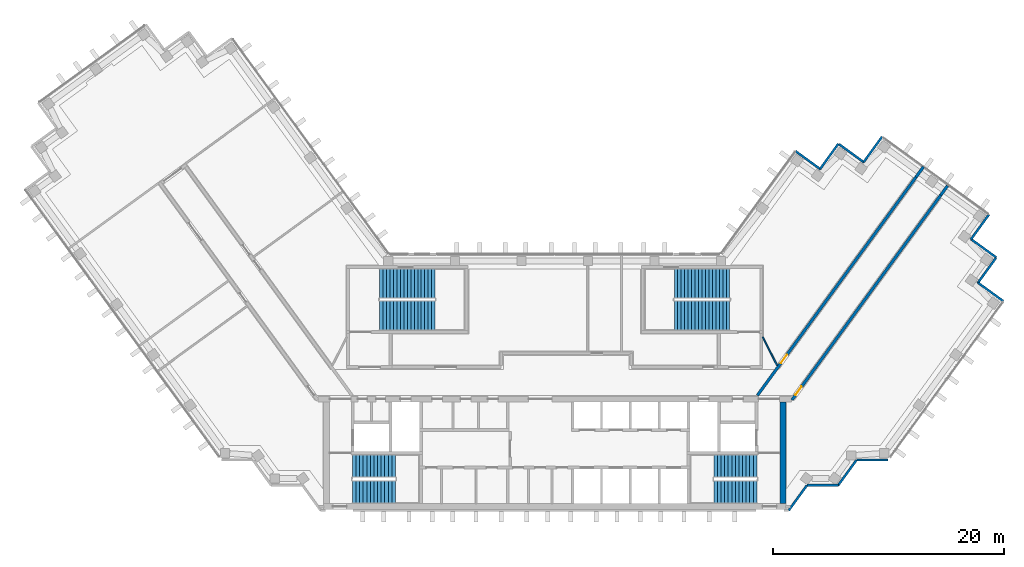
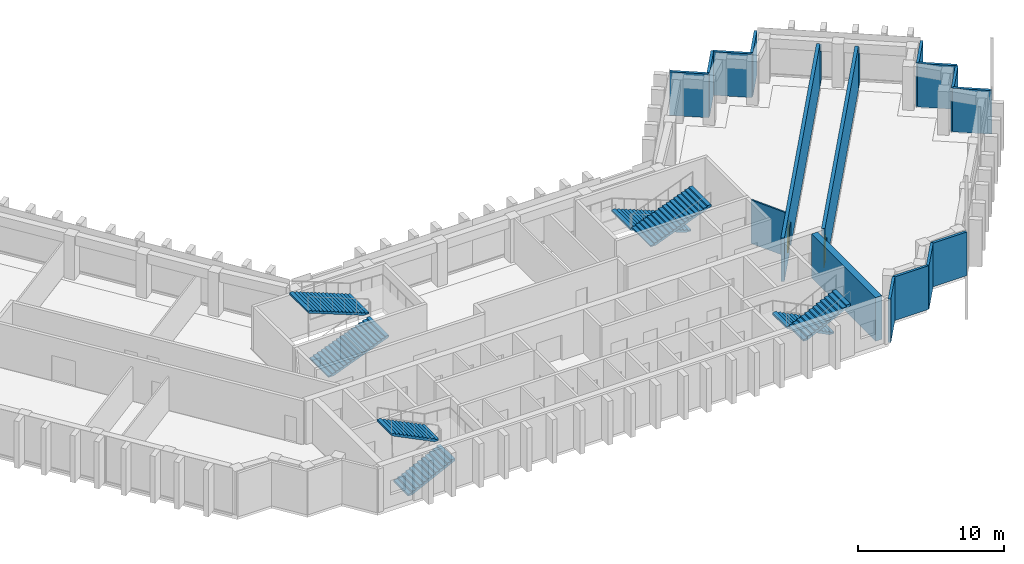
# One storey, part 7 of 9: 18 walls, 8 stair flights, 2 doors, 2 openings, 4 elements without a shape of their own.
"""IFC4 building model written with IfcOpenShell, lengths in metres."""

import ifcopenshell
import ifcopenshell.guid

model = None  # the IFC model being written
_history = None  # IfcOwnerHistory: only IFC2X3 demands one
_inside = {}  # id of a spatial element -> (the spatial element, [elements in it])
_under = {}  # id of a project, library or spatial element -> (it, [spatial elements below it])
_declared = {}  # id of a project -> (the project, [libraries it declares])
_typed = {}  # id of a type object -> (the type object, [elements of that type])
_made_of = {}  # id of a material, layer set ... -> (it, [elements and type objects made of it])


def new_model(schema):
    """Start an empty IFC model of exactly this schema.

    Asked for "IFC4X3", IfcOpenShell would pick the latest addendum, in which some entities
    have other attributes; the version numbers below select the first issue.
    IFC2X3 requires an IfcOwnerHistory on every rooted entity: one is made here for all.
    """
    global model, _history
    if schema == "IFC4X3":
        model = ifcopenshell.file(schema_version=(4, 3, 0, 0))
    else:
        model = ifcopenshell.file(schema=schema)
    _inside.clear()
    _under.clear()
    _declared.clear()
    _typed.clear()
    _made_of.clear()
    _history = None
    if model.schema == "IFC2X3":
        org = make("IfcOrganization", Name="unknown")
        user = make(
            "IfcPersonAndOrganization",
            ThePerson=make("IfcPerson", FamilyName="unknown"),
            TheOrganization=org,
        )
        app = make(
            "IfcApplication",
            ApplicationDeveloper=org,
            Version="unknown",
            ApplicationFullName="unknown",
            ApplicationIdentifier="unknown",
        )
        _history = make(
            "IfcOwnerHistory",
            OwningUser=user,
            OwningApplication=app,
            ChangeAction="ADDED",
            CreationDate=0,
        )
    return model


def make(cls, **values):
    """One entity of the class cls with the attributes given. An attribute that is None is left unset."""
    return model.create_entity(
        cls, **{name: value for name, value in values.items() if value is not None}
    )


def rooted(cls, **values):
    """An entity with a GlobalId (a new one), such as an element, a storey or a relation."""
    return make(cls, GlobalId=ifcopenshell.guid.new(), OwnerHistory=_history, **values)


def si_unit(unit_type, name, prefix=None):
    """IfcSIUnit, for example si_unit("LENGTHUNIT", "METRE", prefix="MILLI")."""
    return make("IfcSIUnit", UnitType=unit_type, Prefix=prefix, Name=name)


def assignment(units):
    """IfcUnitAssignment: the units of a project."""
    return None if units is None else make("IfcUnitAssignment", Units=units)


def point(xyz):
    """IfcCartesianPoint."""
    return None if xyz is None else make("IfcCartesianPoint", Coordinates=xyz)


def direction(xyz):
    """IfcDirection."""
    return None if xyz is None else make("IfcDirection", DirectionRatios=xyz)


def frame(location, z_axis=None, x_axis=None):
    """IfcAxis2Placement3D, a coordinate frame: its origin and axes. An axis left out is left unset."""
    return make(
        "IfcAxis2Placement3D",
        Location=point(location),
        Axis=direction(z_axis),
        RefDirection=direction(x_axis),
    )


def frame_2d(location, x_axis=None):
    """IfcAxis2Placement2D, a coordinate frame in the plane: its origin and x axis."""
    return make(
        "IfcAxis2Placement2D", Location=point(location), RefDirection=direction(x_axis)
    )


def origin():
    """The frame at (0, 0, 0) with its axes left unset."""
    return frame((0.0, 0.0, 0.0))


def place(relative_to, where):
    """IfcLocalPlacement: puts the frame where relative to a parent placement (None: the world)."""
    return make(
        "IfcLocalPlacement", PlacementRelTo=relative_to, RelativePlacement=where
    )


def context(
    kind, dimensions, precision=None, world=None, true_north=None, identifier=None
):
    """IfcGeometricRepresentationContext, for example the 3D "Model" context."""
    return make(
        "IfcGeometricRepresentationContext",
        ContextIdentifier=identifier,
        ContextType=kind,
        CoordinateSpaceDimension=dimensions,
        Precision=precision,
        WorldCoordinateSystem=world,
        TrueNorth=true_north,
    )


def subcontext(parent, identifier, kind, view, scale=None):
    """IfcGeometricRepresentationSubContext, for example "Body" below "Model"."""
    return make(
        "IfcGeometricRepresentationSubContext",
        ContextIdentifier=identifier,
        ContextType=kind,
        ParentContext=parent,
        TargetScale=scale,
        TargetView=view,
    )


def project(units=None, contexts=None):
    """IfcProject with its units and contexts."""
    return rooted(
        "IfcProject",
        Name="project",
        RepresentationContexts=contexts,
        UnitsInContext=assignment(units),
    )


def spatial(cls, under=None, at=None, **own):
    """A site, building, storey or space (cls), placed at a placement, below another one or the project."""
    s = rooted(cls, ObjectPlacement=at, **own)
    if under is not None:
        _under.setdefault(under.id(), (under, []))[1].append(s)
    return s


def polyline(points):
    """IfcPolyline through the points."""
    return make("IfcPolyline", Points=[point(p) for p in points])


def profile(cls, at=None, kind="AREA", **sizes):
    """A parametric profile (cls). Its sizes go by their IFC names, for example OverallWidth=200.0."""
    return make(cls, ProfileType=kind, Position=at, **sizes)


def rectangle(**sizes):
    """IfcRectangleProfileDef."""
    return profile("IfcRectangleProfileDef", **sizes)


def outline(outer, holes=None, kind="AREA"):
    """IfcArbitraryClosedProfileDef: a profile drawn as a closed curve; with holes, ...WithVoids."""
    if holes is None:
        return make("IfcArbitraryClosedProfileDef", ProfileType=kind, OuterCurve=outer)
    return make(
        "IfcArbitraryProfileDefWithVoids",
        ProfileType=kind,
        OuterCurve=outer,
        InnerCurves=holes,
    )


def extrude(swept, where, along, depth):
    """IfcExtrudedAreaSolid: the profile swept, set in the frame where, extruded along a direction by depth."""
    return make(
        "IfcExtrudedAreaSolid",
        SweptArea=swept,
        Position=where,
        ExtrudedDirection=direction(along),
        Depth=depth,
    )


def shape(context_of_items, identifier, shape_type, items):
    """IfcShapeRepresentation: the items that make up one representation, for example the "Body"."""
    return make(
        "IfcShapeRepresentation",
        ContextOfItems=context_of_items,
        RepresentationIdentifier=identifier,
        RepresentationType=shape_type,
        Items=items,
    )


def material(Name=None, Category=None):
    """IfcMaterial."""
    return make("IfcMaterial", Name=Name, Category=Category)


def layer(
    of_material, thickness, ventilated=None, Name=None, Category=None, Priority=None
):
    """IfcMaterialLayer: one layer of a wall or slab, of a material (None: an air gap)."""
    return make(
        "IfcMaterialLayer",
        Material=of_material,
        LayerThickness=thickness,
        IsVentilated=ventilated,
        Name=Name,
        Category=Category,
        Priority=Priority,
    )


def layer_set(layers, Name=None):
    """IfcMaterialLayerSet."""
    return make("IfcMaterialLayerSet", MaterialLayers=layers, LayerSetName=Name)


def made_of(thing, what):
    """Note that an element or type object is made of a material, layer set ...; save() writes the relation."""
    if what is not None:
        _made_of.setdefault(what.id(), (what, []))[1].append(thing)
    return thing


def type_object(cls, material=None, **own):
    """A type object (cls), such as IfcWallType, which elements share."""
    return made_of(rooted(cls, **own), material)


def element(
    cls,
    number,
    at=None,
    inside=None,
    cuts=None,
    type_object=None,
    material=None,
    context=None,
    identifier="Body",
    shape_type=None,
    held_by="IfcProductDefinitionShape",
    body=None,
    shapes=None,
    **own,
):
    """One element of the class cls, such as IfcWall. Its Tag is "e" and its number.

    at: its placement. inside: the storey or other place that contains it. cuts: it is an
    opening in that element (IfcRelVoidsElement). A single representation is given by context,
    identifier, shape_type and body (its items); several are given by shapes. held_by: the class
    of the entity that holds the representations. save() writes the other relations.
    """
    e = rooted(cls, Tag="e%d" % number, ObjectPlacement=at, **own)
    if body is not None:
        shapes = [shape(context, identifier, shape_type, body)]
    if shapes is not None:
        e.Representation = make(held_by, Representations=shapes)
    if inside is not None:
        _inside.setdefault(inside.id(), (inside, []))[1].append(e)
    if cuts is not None:
        rooted(
            "IfcRelVoidsElement", RelatingBuildingElement=cuts, RelatedOpeningElement=e
        )
    if type_object is not None:
        _typed.setdefault(type_object.id(), (type_object, []))[1].append(e)
    return made_of(e, material)


def fill(opening, filler):
    """IfcRelFillsElement: the door or window that sits in an opening."""
    return rooted(
        "IfcRelFillsElement",
        RelatingOpeningElement=opening,
        RelatedBuildingElement=filler,
    )


def aggregate(whole, parts):
    """IfcRelAggregates: a whole, such as a stair, and the parts it consists of."""
    return rooted("IfcRelAggregates", RelatingObject=whole, RelatedObjects=parts)


def save(model, path):
    """Write the relations noted so far, then the file.

    IfcRelAggregates (storeys below a building ...), IfcRelContainedInSpatialStructure (elements
    in a storey), IfcRelDefinesByType, IfcRelAssociatesMaterial and IfcRelDeclares: one each for
    every whole, place, type object, material and project.
    """
    for whole, parts in _under.values():
        aggregate(whole, parts)
    for where, things in _inside.values():
        rooted(
            "IfcRelContainedInSpatialStructure",
            RelatedElements=things,
            RelatingStructure=where,
        )
    for kind, things in _typed.values():
        rooted("IfcRelDefinesByType", RelatedObjects=things, RelatingType=kind)
    for what, things in _made_of.values():
        rooted("IfcRelAssociatesMaterial", RelatedObjects=things, RelatingMaterial=what)
    for by, libraries in _declared.values():
        rooted("IfcRelDeclares", RelatingContext=by, RelatedDefinitions=libraries)
    model.write(path)


model = new_model("IFC4")

# Units and contexts
model_context = context("Model", 3, precision=1e-05, world=origin(), true_north=direction((0.0, 1.0)))
body_context = subcontext(model_context, "Body", "Model", "MODEL_VIEW")
ifc_project = project(units=[si_unit("LENGTHUNIT", "METRE"), si_unit("AREAUNIT", "SQUARE_METRE"), si_unit("VOLUMEUNIT", "CUBIC_METRE"), si_unit("PLANEANGLEUNIT", "RADIAN"), si_unit("MASSUNIT", "GRAM", prefix="KILO")], contexts=[model_context])

# Site, building, storey
site_placement = place(None, origin())
site = spatial("IfcSite", under=ifc_project, at=site_placement, CompositionType="ELEMENT")
building_placement = place(site_placement, origin())
building = spatial("IfcBuilding", under=site, at=building_placement, Name="Quipu Civic Tower", CompositionType="ELEMENT")
storey_placement = place(building_placement, frame((0.0, 0.0, 226.0)))
storey = spatial("IfcBuildingStorey", under=building, at=storey_placement, Name="L53", CompositionType="ELEMENT", Elevation=226.0)

# Wall
ifc_material_1 = material(Name="Concrete C70/85", Category="concrete")
ifc_layer_1 = layer(ifc_material_1, 0.5)
ifc_layer_set_1 = layer_set([ifc_layer_1], Name="Concrete C70/85")
wall_type_1 = type_object("IfcWallType", Name="Core wall 500", PredefinedType="SHEAR", material=ifc_layer_set_1)
wall_1_placement = place(storey_placement, frame((19.75, -10.5, 0.0), z_axis=(0.0, 0.0, 1.0), x_axis=(0.0, 1.0, 0.0)))
element("IfcWall", 1, at=wall_1_placement, inside=storey, type_object=wall_type_1, Name="Core wall", PredefinedType="SHEAR", context=body_context, shape_type="SweptSolid", body=[
    extrude(rectangle(XDim=8.800048828125, YDim=0.5, at=frame_2d((4.39990234375, 0.0))), origin(), (0.0, 0.0, 1.0), 3.64990234375),
])

# Wall, opening, door
ifc_material_2 = material(Name="Concrete C50/60", Category="concrete")
ifc_layer_2 = layer(ifc_material_2, 0.25)
ifc_layer_set_2 = layer_set([ifc_layer_2], Name="Concrete C50/60")
wall_type_2 = type_object("IfcWallType", Name="Corridor wall 250 concrete", PredefinedType="SOLIDWALL", material=ifc_layer_set_2)
wall_2_placement = place(storey_placement, frame((17.544921875, -1.124755859375, 0.0), z_axis=(0.0, 0.0, 1.0), x_axis=(0.587787966774, 0.809015022181, 0.0)))
wall_2 = element("IfcWall", 2, at=wall_2_placement, inside=storey, type_object=wall_type_2, Name="Corridor wall C02", PredefinedType="SOLIDWALL", context=body_context, shape_type="SweptSolid", body=[
    extrude(rectangle(XDim=23.344970703125, YDim=0.25, at=frame_2d((11.67236328125, 0.0))), origin(), (0.0, 0.0, 1.0), 3.64990234375),
])
opening_1_placement = place(wall_2_placement, frame((3.44140625, 0.0, 0.0)))
opening_1 = element("IfcOpeningElement", 3, at=opening_1_placement, cuts=wall_2, Name="Opening D001", PredefinedType="OPENING", context=body_context, shape_type="SweptSolid", body=[
    extrude(rectangle(XDim=0.89990234375, YDim=2.10009765625, at=frame_2d((0.449951171875, 1.050048828125))), frame((0.0, 0.135009765625, 0.0), z_axis=(0.0, -1.0, 0.0), x_axis=(1.0, 0.0, 0.0)), (0.0, 0.0, 1.0), 0.27001953125),
])
ifc_material_3 = material(Name="Fire rated timber door set with metal frame", Category="wood")
door_type = type_object("IfcDoorType", Name="Single door 900 x 2100 FD60", OperationType="NOTDEFINED", PredefinedType="DOOR", material=ifc_material_3)
door_1_placement = place(opening_1_placement, origin())
door_1 = element("IfcDoor", 4, at=door_1_placement, inside=storey, type_object=door_type, Name="Door D001", OperationType="SINGLE_SWING_LEFT", OverallHeight=2.10009765625, OverallWidth=0.89990234375, PredefinedType="DOOR", context=body_context, shape_type="SweptSolid", body=[
    extrude(rectangle(XDim=0.89990234375, YDim=2.10009765625, at=frame_2d((0.449951171875, 1.050048828125))), frame((0.0, 0.02490234375, 0.0), z_axis=(0.0, -1.0, 0.0), x_axis=(1.0, 0.0, 0.0)), (0.0, 0.0, 1.0), 0.050048828125),
])
fill(opening_1, door_1)

wall_3_placement = place(storey_placement, frame((33.41015625, 16.203125, 0.0), z_axis=(0.0, 0.0, 1.0), x_axis=(-0.587786711753, -0.809015934013, 0.0)))
wall_3 = element("IfcWall", 5, at=wall_3_placement, inside=storey, type_object=wall_type_2, Name="Corridor wall C03", PredefinedType="SOLIDWALL", context=body_context, shape_type="SweptSolid", body=[
    extrude(rectangle(XDim=21.911376953125, YDim=0.25, at=frame_2d((10.95556640625, 0.0))), origin(), (0.0, 0.0, 1.0), 3.64990234375),
])
opening_2_placement = place(wall_3_placement, frame((20.478515625, 0.0, 0.0)))
opening_2 = element("IfcOpeningElement", 6, at=opening_2_placement, cuts=wall_3, Name="Opening D002", PredefinedType="OPENING", context=body_context, shape_type="SweptSolid", body=[
    extrude(rectangle(XDim=0.89990234375, YDim=2.10009765625, at=frame_2d((0.449951171875, 1.050048828125))), frame((0.0, 0.135009765625, 0.0), z_axis=(0.0, -1.0, 0.0), x_axis=(1.0, 0.0, 0.0)), (0.0, 0.0, 1.0), 0.27001953125),
])
door_2_placement = place(opening_2_placement, origin())
door_2 = element("IfcDoor", 7, at=door_2_placement, inside=storey, type_object=door_type, Name="Door D002", OperationType="SINGLE_SWING_RIGHT", OverallHeight=2.10009765625, OverallWidth=0.89990234375, PredefinedType="DOOR", context=body_context, shape_type="SweptSolid", body=[
    extrude(rectangle(XDim=0.89990234375, YDim=2.10009765625, at=frame_2d((0.449951171875, 1.050048828125))), frame((0.0, 0.02490234375, 0.0), z_axis=(0.0, -1.0, 0.0), x_axis=(1.0, 0.0, 0.0)), (0.0, 0.0, 1.0), 0.050048828125),
])
fill(opening_2, door_2)

# Walls
wall_4_placement = place(storey_placement, frame((31.266845703125, 17.76171875, 0.0), z_axis=(0.0, 0.0, 1.0), x_axis=(0.587778942742, 0.809021578494, 0.0)))
element("IfcWall", 8, at=wall_4_placement, inside=storey, type_object=wall_type_2, Name="Corridor wall C02", PredefinedType="SOLIDWALL", context=body_context, shape_type="SweptSolid", body=[
    extrude(rectangle(XDim=1.109130859375, YDim=0.25, at=frame_2d((0.5546875, 0.0))), origin(), (0.0, 0.0, 1.0), 2.85009765625),
])
wall_5_placement = place(storey_placement, frame((33.41015625, 16.203125, 0.0), z_axis=(0.0, 0.0, 1.0), x_axis=(0.587696850957, 0.809081214326, 0.0)))
element("IfcWall", 9, at=wall_5_placement, inside=storey, type_object=wall_type_2, Name="Corridor wall C03", PredefinedType="SOLIDWALL", context=body_context, shape_type="SweptSolid", body=[
    extrude(rectangle(XDim=1.009033203125, YDim=0.25, at=frame_2d((0.50439453125, 0.0))), origin(), (0.0, 0.0, 1.0), 2.85009765625),
])
ifc_material_4 = material(Name="Gypsum plasterboard on light gauge framing")
ifc_layer_3 = layer(ifc_material_4, 0.1201171875)
ifc_layer_set_3 = layer_set([ifc_layer_3], Name="Gypsum plasterboard on light gauge framing")
wall_type_3 = type_object("IfcWallType", Name="Partition 120 plasterboard", PredefinedType="PARTITIONING", material=ifc_layer_set_3)
wall_6_placement = place(storey_placement, frame((18.0, 3.925048828125, 0.0), z_axis=(0.0, 0.0, 1.0), x_axis=(0.453950796792, -0.891026752736, 0.0)))
element("IfcWall", 10, at=wall_6_placement, inside=storey, type_object=wall_type_3, Name="Partition P08", PredefinedType="PARTITIONING", context=body_context, shape_type="SweptSolid", body=[
    extrude(rectangle(XDim=2.77783203125, YDim=0.1201171875, at=frame_2d((1.388916015625, 0.0))), origin(), (0.0, 0.0, 1.0), 3.64990234375),
])
ifc_material_5 = material(Name="Precast concrete C40/50", Category="concrete")
wall_type_4 = type_object("IfcWallType", Name="Precast cladding wall", PredefinedType="SOLIDWALL", material=ifc_material_5)
wall_7_placement = place(storey_placement, frame((20.253173828125, -11.083251953125, 0.0), z_axis=(0.0, 0.0, 1.0), x_axis=(0.587766567315, 0.809030569476, 0.0)))
element("IfcWall", 11, at=wall_7_placement, inside=storey, type_object=wall_type_4, Name="Precast cladding wall L53 P20", PredefinedType="SOLIDWALL", context=body_context, shape_type="SweptSolid", body=[
    extrude(rectangle(XDim=2.687744140625, YDim=0.199951171875, at=frame_2d((1.34375, 0.0))), origin(), (0.0, 0.0, 1.0), 3.64990234375),
])
for number, where, z_axis, x_axis, name in (
    (12, (36.0048828125, 12.3515625, 0.0), (0.0, 0.0, 1.0), (0.587762999008, 0.809033161865, 0.0), "Precast cladding wall L53 P21"),
    (13, (28.333984375, 21.26220703125, 0.0), (0.0, 0.0, 1.0), (-0.587762999008, -0.809033161865, 0.0), "Precast cladding wall L53 P23"),
):
    element("IfcWall", number, at=place(storey_placement, frame(where, z_axis=z_axis, x_axis=x_axis)), inside=storey, type_object=wall_type_4, Name=name, PredefinedType="SOLIDWALL", context=body_context, shape_type="SweptSolid", body=[
        extrude(rectangle(XDim=2.699951171875, YDim=0.199951171875, at=frame_2d((1.35009765625, 0.0))), origin(), (0.0, 0.0, 1.0), 3.64990234375),
    ])
wall_8_placement = place(storey_placement, frame((26.78466796875, 19.03564453125, 0.0), z_axis=(0.0, 0.0, 1.0), x_axis=(-0.809064397168, 0.587720002413, 0.0)))
element("IfcWall", 14, at=wall_8_placement, inside=storey, type_object=wall_type_4, Name="Precast cladding wall L53 P24", PredefinedType="SOLIDWALL", context=body_context, shape_type="SweptSolid", body=[
    extrude(rectangle(XDim=2.7001953125, YDim=0.199951171875, at=frame_2d((1.35009765625, 0.0))), origin(), (0.0, 0.0, 1.0), 3.64990234375),
])
for number, where, z_axis, x_axis, name in (
    (15, (24.562744140625, 20.664794921875, 0.0), (0.0, 0.0, 1.0), (-0.587822180636, -0.808990163075, 0.0), "Precast cladding wall L53 P25"),
    (16, (23.01318359375, 18.438232421875, 0.0), (0.0, 0.0, 1.0), (-0.808990163075, 0.587822180636, 0.0), "Precast cladding wall L53 P26"),
    (17, (21.8427734375, -8.90380859375, 0.0), (0.0, 0.0, 1.0), (1.0, 0.0, 0.0), "Precast cladding wall L53 P33"),
):
    element("IfcWall", number, at=place(storey_placement, frame(where, z_axis=z_axis, x_axis=x_axis)), inside=storey, type_object=wall_type_4, Name=name, PredefinedType="SOLIDWALL", context=body_context, shape_type="SweptSolid", body=[
        extrude(rectangle(XDim=2.699951171875, YDim=0.199951171875, at=frame_2d((1.35009765625, 0.0))), origin(), (0.0, 0.0, 1.0), 3.64990234375),
    ])
wall_9_placement = place(storey_placement, frame((24.533203125, -8.90869140625, 0.0), z_axis=(0.0, 0.0, 1.0), x_axis=(0.587720002413, 0.809064397168, 0.0)))
element("IfcWall", 18, at=wall_9_placement, inside=storey, type_object=wall_type_4, Name="Precast cladding wall L53 P34", PredefinedType="SOLIDWALL", context=body_context, shape_type="SweptSolid", body=[
    extrude(rectangle(XDim=2.7001953125, YDim=0.199951171875, at=frame_2d((1.35009765625, 0.0))), origin(), (0.0, 0.0, 1.0), 3.64990234375),
])
for number, where, z_axis, x_axis, name in (
    (19, (26.1298828125, -6.71923828125, 0.0), (0.0, 0.0, 1.0), (1.0, 0.0, 0.0), "Precast cladding wall L53 P35"),
    (20, (38.82861328125, 7.031005859375, 0.0), (0.0, 0.0, 1.0), (-0.808990163075, 0.587822180636, 0.0), "Precast cladding wall L53 1"),
    (21, (36.60205078125, 8.580322265625, 0.0), (0.0, 0.0, 1.0), (0.587822180636, 0.808990163075, 0.0), "Precast cladding wall L53 2"),
    (22, (38.231201171875, 10.80224609375, 0.0), (0.0, 0.0, 1.0), (-0.808958916286, 0.58786518162, 0.0), "Precast cladding wall L53 3"),
):
    element("IfcWall", number, at=place(storey_placement, frame(where, z_axis=z_axis, x_axis=x_axis)), inside=storey, type_object=wall_type_4, Name=name, PredefinedType="SOLIDWALL", context=body_context, shape_type="SweptSolid", body=[
        extrude(rectangle(XDim=2.699951171875, YDim=0.199951171875, at=frame_2d((1.35009765625, 0.0))), origin(), (0.0, 0.0, 1.0), 3.64990234375),
    ])

# Stair, stair flights
ifc_material_6 = material(Name="Concrete C40/50", Category="concrete")
stair_type_1 = type_object("IfcStairType", Name="Half turn stair 2000", PredefinedType="HALF_TURN_STAIR", material=ifc_material_6)
stair_1_placement = place(storey_placement, origin())
stair_1 = element("IfcStair", 23, at=stair_1_placement, inside=storey, type_object=stair_type_1, Name="Exit stair 1", PredefinedType="HALF_TURN_STAIR")
ifc_material_7 = material(Name="Concrete C40/50", Category="concrete")
stair_flight_type_1 = type_object("IfcStairFlightType", Name="Stair flight 2000", PredefinedType="STRAIGHT", material=ifc_material_7)
stair_flight_1_placement = place(storey_placement, frame((-17.5, -9.5, 0.0), z_axis=(0.0, 0.0, 1.0), x_axis=(1.0, 0.0, 0.0)))
stair_flight_1 = element("IfcStairFlight", 24, at=stair_flight_1_placement, type_object=stair_flight_type_1, Name="ST-1 flight 1", NumberOfRisers=13, NumberOfTreads=12, PredefinedType="STRAIGHT", RiserHeight=0.153846154, TreadLength=0.31, context=body_context, shape_type="SweptSolid", body=[
    extrude(outline(polyline([(0.0, 0.0), (0.0, 0.15380859375), (0.31005859375, 0.15380859375), (0.31005859375, 0.3076171875), (0.6201171875, 0.3076171875), (0.6201171875, 0.46142578125), (0.929931640625, 0.46142578125), (0.929931640625, 0.615478515625), (1.239990234375, 0.615478515625), (1.239990234375, 0.769287109375), (1.550048828125, 0.769287109375), (1.550048828125, 0.923095703125), (1.860107421875, 0.923095703125), (1.860107421875, 1.076904296875), (2.169921875, 1.076904296875), (2.169921875, 1.230712890625), (2.47998046875, 1.230712890625), (2.47998046875, 1.384521484375), (2.7900390625, 1.384521484375), (2.7900390625, 1.53857421875), (3.10009765625, 1.53857421875), (3.10009765625, 1.6923828125), (3.409912109375, 1.6923828125), (3.409912109375, 1.84619140625), (3.719970703125, 1.84619140625), (3.719970703125, 2.0), (3.719970703125, 1.6787109375), (0.337158203125, 0.0), (0.0, 0.0)])), frame((0.0, 1.0, 0.0), z_axis=(0.0, -1.0, 0.0), x_axis=(1.0, 0.0, 0.0)), (0.0, 0.0, 1.0), 2.0),
])
stair_flight_2_placement = place(storey_placement, frame((-13.780029296875, -7.25, 2.0), z_axis=(0.0, 0.0, 1.0), x_axis=(-1.0, 0.0, 0.0)))
stair_flight_2 = element("IfcStairFlight", 25, at=stair_flight_2_placement, type_object=stair_flight_type_1, Name="ST-1 flight 2", NumberOfRisers=13, NumberOfTreads=12, PredefinedType="STRAIGHT", RiserHeight=0.153846154, TreadLength=0.31, context=body_context, shape_type="SweptSolid", body=[
    extrude(outline(polyline([(0.0, 0.0), (0.0, 0.15380859375), (0.31005859375, 0.15380859375), (0.31005859375, 0.3076171875), (0.6201171875, 0.3076171875), (0.6201171875, 0.46142578125), (0.929931640625, 0.46142578125), (0.929931640625, 0.615478515625), (1.239990234375, 0.615478515625), (1.239990234375, 0.769287109375), (1.550048828125, 0.769287109375), (1.550048828125, 0.923095703125), (1.860107421875, 0.923095703125), (1.860107421875, 1.076904296875), (2.169921875, 1.076904296875), (2.169921875, 1.230712890625), (2.47998046875, 1.230712890625), (2.47998046875, 1.384521484375), (2.7900390625, 1.384521484375), (2.7900390625, 1.53857421875), (3.10009765625, 1.53857421875), (3.10009765625, 1.6923828125), (3.409912109375, 1.6923828125), (3.409912109375, 1.84619140625), (3.719970703125, 1.84619140625), (3.719970703125, 2.0), (3.719970703125, 1.6787109375), (0.337158203125, 0.0), (0.0, 0.0)])), frame((0.0, 1.0, 0.0), z_axis=(0.0, -1.0, 0.0), x_axis=(1.0, 0.0, 0.0)), (0.0, 0.0, 1.0), 2.0),
])
aggregate(stair_1, [stair_flight_1, stair_flight_2])

stair_2_placement = place(storey_placement, origin())
stair_2 = element("IfcStair", 26, at=stair_2_placement, inside=storey, type_object=stair_type_1, Name="Exit stair 2", PredefinedType="HALF_TURN_STAIR")
stair_flight_3_placement = place(storey_placement, frame((17.5, -7.25, 0.0), z_axis=(0.0, 0.0, 1.0), x_axis=(-1.0, 0.0, 0.0)))
stair_flight_3 = element("IfcStairFlight", 27, at=stair_flight_3_placement, type_object=stair_flight_type_1, Name="ST-2 flight 1", NumberOfRisers=13, NumberOfTreads=12, PredefinedType="STRAIGHT", RiserHeight=0.153846154, TreadLength=0.31, context=body_context, shape_type="SweptSolid", body=[
    extrude(outline(polyline([(0.0, 0.0), (0.0, 0.15380859375), (0.31005859375, 0.15380859375), (0.31005859375, 0.3076171875), (0.6201171875, 0.3076171875), (0.6201171875, 0.46142578125), (0.929931640625, 0.46142578125), (0.929931640625, 0.615478515625), (1.239990234375, 0.615478515625), (1.239990234375, 0.769287109375), (1.550048828125, 0.769287109375), (1.550048828125, 0.923095703125), (1.860107421875, 0.923095703125), (1.860107421875, 1.076904296875), (2.169921875, 1.076904296875), (2.169921875, 1.230712890625), (2.47998046875, 1.230712890625), (2.47998046875, 1.384521484375), (2.7900390625, 1.384521484375), (2.7900390625, 1.53857421875), (3.10009765625, 1.53857421875), (3.10009765625, 1.6923828125), (3.409912109375, 1.6923828125), (3.409912109375, 1.84619140625), (3.719970703125, 1.84619140625), (3.719970703125, 2.0), (3.719970703125, 1.6787109375), (0.337158203125, 0.0), (0.0, 0.0)])), frame((0.0, 1.0, 0.0), z_axis=(0.0, -1.0, 0.0), x_axis=(1.0, 0.0, 0.0)), (0.0, 0.0, 1.0), 2.0),
])
stair_flight_4_placement = place(storey_placement, frame((13.780029296875, -9.5, 2.0), z_axis=(0.0, 0.0, 1.0), x_axis=(1.0, 0.0, 0.0)))
stair_flight_4 = element("IfcStairFlight", 28, at=stair_flight_4_placement, type_object=stair_flight_type_1, Name="ST-2 flight 2", NumberOfRisers=13, NumberOfTreads=12, PredefinedType="STRAIGHT", RiserHeight=0.153846154, TreadLength=0.31, context=body_context, shape_type="SweptSolid", body=[
    extrude(outline(polyline([(0.0, 0.0), (0.0, 0.15380859375), (0.31005859375, 0.15380859375), (0.31005859375, 0.3076171875), (0.6201171875, 0.3076171875), (0.6201171875, 0.46142578125), (0.929931640625, 0.46142578125), (0.929931640625, 0.615478515625), (1.239990234375, 0.615478515625), (1.239990234375, 0.769287109375), (1.550048828125, 0.769287109375), (1.550048828125, 0.923095703125), (1.860107421875, 0.923095703125), (1.860107421875, 1.076904296875), (2.169921875, 1.076904296875), (2.169921875, 1.230712890625), (2.47998046875, 1.230712890625), (2.47998046875, 1.384521484375), (2.7900390625, 1.384521484375), (2.7900390625, 1.53857421875), (3.10009765625, 1.53857421875), (3.10009765625, 1.6923828125), (3.409912109375, 1.6923828125), (3.409912109375, 1.84619140625), (3.719970703125, 1.84619140625), (3.719970703125, 2.0), (3.719970703125, 1.6787109375), (0.337158203125, 0.0), (0.0, 0.0)])), frame((0.0, 1.0, 0.0), z_axis=(0.0, -1.0, 0.0), x_axis=(1.0, 0.0, 0.0)), (0.0, 0.0, 1.0), 2.0),
])
aggregate(stair_2, [stair_flight_3, stair_flight_4])

ifc_material_8 = material(Name="Concrete C40/50", Category="concrete")
stair_type_2 = type_object("IfcStairType", Name="Half turn stair 2600", PredefinedType="HALF_TURN_STAIR", material=ifc_material_8)
stair_3_placement = place(storey_placement, origin())
stair_3 = element("IfcStair", 29, at=stair_3_placement, inside=storey, type_object=stair_type_2, Name="Exit stair 3", PredefinedType="HALF_TURN_STAIR")
ifc_material_9 = material(Name="Concrete C40/50", Category="concrete")
stair_flight_type_2 = type_object("IfcStairFlightType", Name="Stair flight 2600", PredefinedType="STRAIGHT", material=ifc_material_9)
stair_flight_5_placement = place(storey_placement, frame((-15.14990234375, 5.800048828125, 0.0), z_axis=(0.0, 0.0, 1.0), x_axis=(1.0, 0.0, 0.0)))
stair_flight_5 = element("IfcStairFlight", 30, at=stair_flight_5_placement, type_object=stair_flight_type_2, Name="ST-3 flight 1", NumberOfRisers=17, NumberOfTreads=16, PredefinedType="STRAIGHT", RiserHeight=0.117647059, TreadLength=0.3, context=body_context, shape_type="SweptSolid", body=[
    extrude(outline(polyline([(0.0, 0.0), (0.0, 0.11767578125), (0.300048828125, 0.11767578125), (0.300048828125, 0.2353515625), (0.60009765625, 0.2353515625), (0.60009765625, 0.35302734375), (0.89990234375, 0.35302734375), (0.89990234375, 0.470703125), (1.199951171875, 0.470703125), (1.199951171875, 0.588134765625), (1.5, 0.588134765625), (1.5, 0.705810546875), (1.800048828125, 0.705810546875), (1.800048828125, 0.823486328125), (2.10009765625, 0.823486328125), (2.10009765625, 0.941162109375), (2.39990234375, 0.941162109375), (2.39990234375, 1.058837890625), (2.699951171875, 1.058837890625), (2.699951171875, 1.176513671875), (3.0, 1.176513671875), (3.0, 1.294189453125), (3.300048828125, 1.294189453125), (3.300048828125, 1.411865234375), (3.60009765625, 1.411865234375), (3.60009765625, 1.529296875), (3.89990234375, 1.529296875), (3.89990234375, 1.64697265625), (4.199951171875, 1.64697265625), (4.199951171875, 1.7646484375), (4.5, 1.7646484375), (4.5, 1.88232421875), (4.800048828125, 1.88232421875), (4.800048828125, 2.0), (4.800048828125, 1.721435546875), (0.41064453125, 0.0), (0.0, 0.0)])), frame((0.0, 1.300048828125, 0.0), z_axis=(0.0, -1.0, 0.0), x_axis=(1.0, 0.0, 0.0)), (0.0, 0.0, 1.0), 2.60009765625),
])
stair_flight_6_placement = place(storey_placement, frame((-10.35009765625, 8.550048828125, 2.0), z_axis=(0.0, 0.0, 1.0), x_axis=(-1.0, 0.0, 0.0)))
stair_flight_6 = element("IfcStairFlight", 31, at=stair_flight_6_placement, type_object=stair_flight_type_2, Name="ST-3 flight 2", NumberOfRisers=17, NumberOfTreads=16, PredefinedType="STRAIGHT", RiserHeight=0.117647059, TreadLength=0.3, context=body_context, shape_type="SweptSolid", body=[
    extrude(outline(polyline([(0.0, 0.0), (0.0, 0.11767578125), (0.300048828125, 0.11767578125), (0.300048828125, 0.2353515625), (0.60009765625, 0.2353515625), (0.60009765625, 0.35302734375), (0.89990234375, 0.35302734375), (0.89990234375, 0.470703125), (1.199951171875, 0.470703125), (1.199951171875, 0.588134765625), (1.5, 0.588134765625), (1.5, 0.705810546875), (1.800048828125, 0.705810546875), (1.800048828125, 0.823486328125), (2.10009765625, 0.823486328125), (2.10009765625, 0.941162109375), (2.39990234375, 0.941162109375), (2.39990234375, 1.058837890625), (2.699951171875, 1.058837890625), (2.699951171875, 1.176513671875), (3.0, 1.176513671875), (3.0, 1.294189453125), (3.300048828125, 1.294189453125), (3.300048828125, 1.411865234375), (3.60009765625, 1.411865234375), (3.60009765625, 1.529296875), (3.89990234375, 1.529296875), (3.89990234375, 1.64697265625), (4.199951171875, 1.64697265625), (4.199951171875, 1.7646484375), (4.5, 1.7646484375), (4.5, 1.88232421875), (4.800048828125, 1.88232421875), (4.800048828125, 2.0), (4.800048828125, 1.721435546875), (0.41064453125, 0.0), (0.0, 0.0)])), frame((0.0, 1.300048828125, 0.0), z_axis=(0.0, -1.0, 0.0), x_axis=(1.0, 0.0, 0.0)), (0.0, 0.0, 1.0), 2.60009765625),
])
aggregate(stair_3, [stair_flight_5, stair_flight_6])

stair_4_placement = place(storey_placement, origin())
stair_4 = element("IfcStair", 32, at=stair_4_placement, inside=storey, type_object=stair_type_2, Name="Exit stair 4", PredefinedType="HALF_TURN_STAIR")
stair_flight_7_placement = place(storey_placement, frame((15.14990234375, 8.550048828125, 0.0), z_axis=(0.0, 0.0, 1.0), x_axis=(-1.0, 0.0, 0.0)))
stair_flight_7 = element("IfcStairFlight", 33, at=stair_flight_7_placement, type_object=stair_flight_type_2, Name="ST-4 flight 1", NumberOfRisers=17, NumberOfTreads=16, PredefinedType="STRAIGHT", RiserHeight=0.117647059, TreadLength=0.3, context=body_context, shape_type="SweptSolid", body=[
    extrude(outline(polyline([(0.0, 0.0), (0.0, 0.11767578125), (0.300048828125, 0.11767578125), (0.300048828125, 0.2353515625), (0.60009765625, 0.2353515625), (0.60009765625, 0.35302734375), (0.89990234375, 0.35302734375), (0.89990234375, 0.470703125), (1.199951171875, 0.470703125), (1.199951171875, 0.588134765625), (1.5, 0.588134765625), (1.5, 0.705810546875), (1.800048828125, 0.705810546875), (1.800048828125, 0.823486328125), (2.10009765625, 0.823486328125), (2.10009765625, 0.941162109375), (2.39990234375, 0.941162109375), (2.39990234375, 1.058837890625), (2.699951171875, 1.058837890625), (2.699951171875, 1.176513671875), (3.0, 1.176513671875), (3.0, 1.294189453125), (3.300048828125, 1.294189453125), (3.300048828125, 1.411865234375), (3.60009765625, 1.411865234375), (3.60009765625, 1.529296875), (3.89990234375, 1.529296875), (3.89990234375, 1.64697265625), (4.199951171875, 1.64697265625), (4.199951171875, 1.7646484375), (4.5, 1.7646484375), (4.5, 1.88232421875), (4.800048828125, 1.88232421875), (4.800048828125, 2.0), (4.800048828125, 1.721435546875), (0.41064453125, 0.0), (0.0, 0.0)])), frame((0.0, 1.300048828125, 0.0), z_axis=(0.0, -1.0, 0.0), x_axis=(1.0, 0.0, 0.0)), (0.0, 0.0, 1.0), 2.60009765625),
])
stair_flight_8_placement = place(storey_placement, frame((10.35009765625, 5.800048828125, 2.0), z_axis=(0.0, 0.0, 1.0), x_axis=(1.0, 0.0, 0.0)))
stair_flight_8 = element("IfcStairFlight", 34, at=stair_flight_8_placement, type_object=stair_flight_type_2, Name="ST-4 flight 2", NumberOfRisers=17, NumberOfTreads=16, PredefinedType="STRAIGHT", RiserHeight=0.117647059, TreadLength=0.3, context=body_context, shape_type="SweptSolid", body=[
    extrude(outline(polyline([(0.0, 0.0), (0.0, 0.11767578125), (0.300048828125, 0.11767578125), (0.300048828125, 0.2353515625), (0.60009765625, 0.2353515625), (0.60009765625, 0.35302734375), (0.89990234375, 0.35302734375), (0.89990234375, 0.470703125), (1.199951171875, 0.470703125), (1.199951171875, 0.588134765625), (1.5, 0.588134765625), (1.5, 0.705810546875), (1.800048828125, 0.705810546875), (1.800048828125, 0.823486328125), (2.10009765625, 0.823486328125), (2.10009765625, 0.941162109375), (2.39990234375, 0.941162109375), (2.39990234375, 1.058837890625), (2.699951171875, 1.058837890625), (2.699951171875, 1.176513671875), (3.0, 1.176513671875), (3.0, 1.294189453125), (3.300048828125, 1.294189453125), (3.300048828125, 1.411865234375), (3.60009765625, 1.411865234375), (3.60009765625, 1.529296875), (3.89990234375, 1.529296875), (3.89990234375, 1.64697265625), (4.199951171875, 1.64697265625), (4.199951171875, 1.7646484375), (4.5, 1.7646484375), (4.5, 1.88232421875), (4.800048828125, 1.88232421875), (4.800048828125, 2.0), (4.800048828125, 1.721435546875), (0.41064453125, 0.0), (0.0, 0.0)])), frame((0.0, 1.300048828125, 0.0), z_axis=(0.0, -1.0, 0.0), x_axis=(1.0, 0.0, 0.0)), (0.0, 0.0, 1.0), 2.60009765625),
])
aggregate(stair_4, [stair_flight_7, stair_flight_8])

save(model, "model.ifc")
